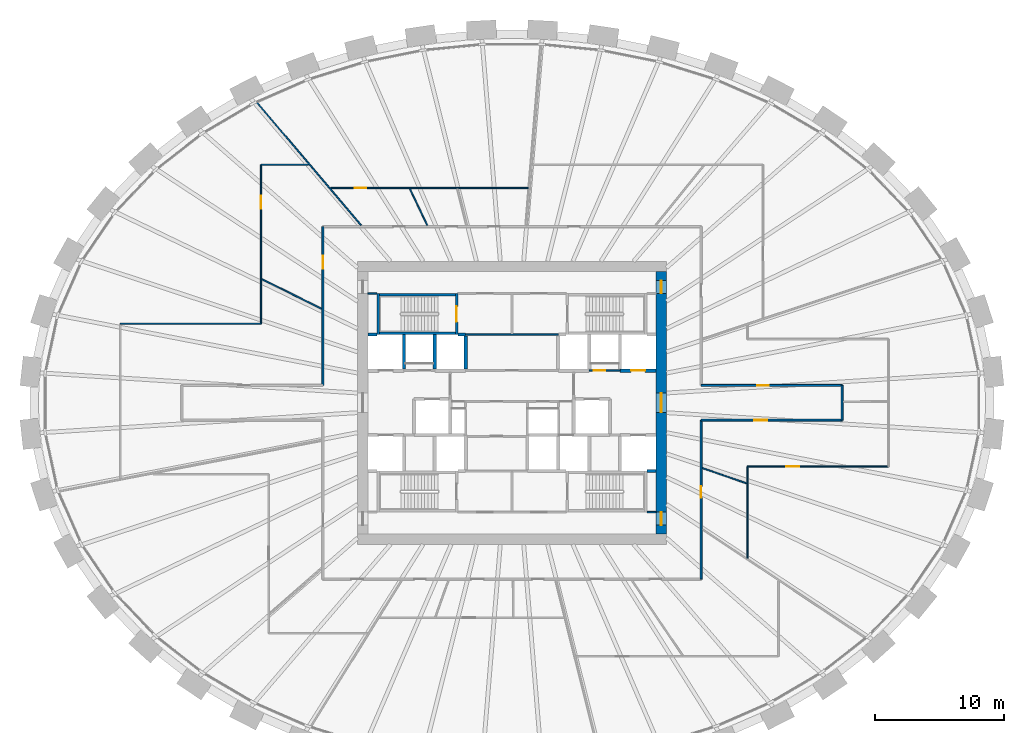
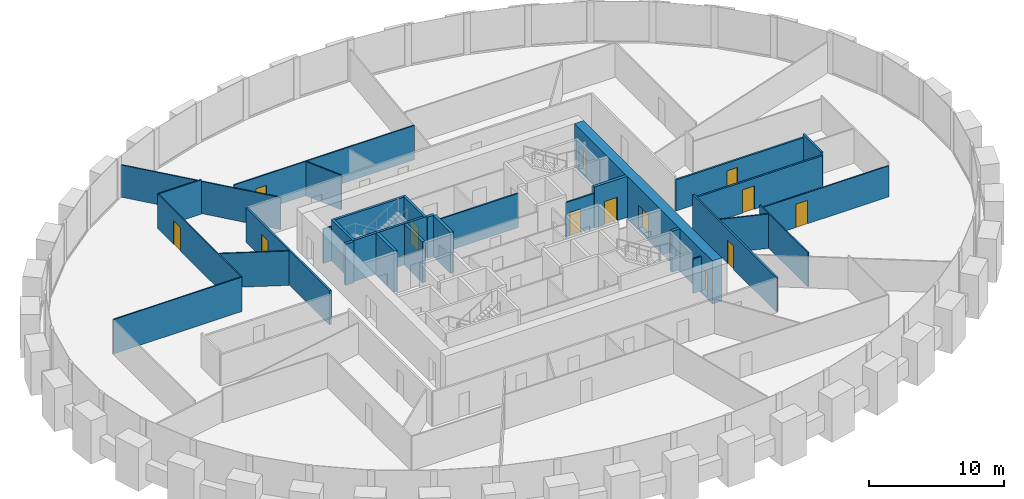
# One storey, part 8 of 10: 31 walls, 13 doors, 13 openings.
"""IFC4 building model written with IfcOpenShell, lengths in metres."""

from ifc_helpers import new_model, si_unit, direction, frame, frame_2d, origin, place, context, subcontext, project, spatial, rectangle, extrude, source, transform, mapped, material, layer, layer_set, type_object, element, fill, save


model = new_model("IFC4")

# Units and contexts
model_context = context("Model", 3, precision=1e-05, world=origin(), true_north=direction((0.0, 1.0)))
body_context = subcontext(model_context, "Body", "Model", "MODEL_VIEW")
ifc_project = project(units=[si_unit("LENGTHUNIT", "METRE"), si_unit("AREAUNIT", "SQUARE_METRE"), si_unit("VOLUMEUNIT", "CUBIC_METRE"), si_unit("PLANEANGLEUNIT", "RADIAN"), si_unit("MASSUNIT", "GRAM", prefix="KILO")], contexts=[model_context])

# Site, building, storey
site_placement = place(None, origin())
site = spatial("IfcSite", under=ifc_project, at=site_placement, CompositionType="ELEMENT")
building_placement = place(site_placement, origin())
building = spatial("IfcBuilding", under=site, at=building_placement, Name="Embergate Tower", CompositionType="ELEMENT")
storey_placement = place(building_placement, frame((0.0, 0.0, 163.800048828125)))
storey = spatial("IfcBuildingStorey", under=building, at=storey_placement, Name="L36", CompositionType="ELEMENT", Elevation=163.800048828125)

# Wall, openings, doors
ifc_material_1 = material(Name="Concrete C70", Category="concrete")
ifc_layer_1 = layer(ifc_material_1, 0.800048828125)
ifc_layer_set_1 = layer_set([ifc_layer_1], Name="Concrete C70")
wall_type_1 = type_object("IfcWallType", Name="Core outer wall C70 800", PredefinedType="SHEAR", material=ifc_layer_set_1)
shared_shape_1 = source(origin(), body_context, "Body", "SweptSolid", [
    extrude(rectangle(XDim=20.39990234375, YDim=0.800048828125, at=frame_2d((10.199951171875, 0.0))), origin(), (0.0, 0.0, 1.0), 3.89990234375),
])
wall_1_placement = place(storey_placement, frame((11.60009765625, -10.199951171875, -0.199951171875), z_axis=(0.0, 0.0, 1.0), x_axis=(0.0, 1.0, 0.0)))
wall_1 = element("IfcWall", 1, at=wall_1_placement, inside=storey, type_object=wall_type_1, Name="CW-L36-E", PredefinedType="SHEAR", context=body_context, shape_type="MappedRepresentation", body=[
    mapped(shared_shape_1, transform((0.0, 0.0, 0.0))),
])
shared_shape_2 = source(origin(), body_context, "Body", "SweptSolid", [
    extrude(rectangle(XDim=1.0, YDim=2.10009765625, at=frame_2d((0.5, 1.050048828125))), frame((0.0, 0.409912109375, 0.0), z_axis=(0.0, -1.0, 0.0), x_axis=(1.0, 0.0, 0.0)), (0.0, 0.0, 1.0), 0.820068359375),
])
opening_1_placement = place(wall_1_placement, frame((18.699951171875, 0.0, 0.199951171875)))
opening_1 = element("IfcOpeningElement", 2, at=opening_1_placement, cuts=wall_1, Name="Opening IF-1d", PredefinedType="OPENING", context=body_context, shape_type="MappedRepresentation", body=[
    mapped(shared_shape_2, transform((0.0, 0.0, 0.0))),
])
opening_2_placement = place(wall_1_placement, frame((0.699951171875, 0.0, 0.199951171875)))
opening_2 = element("IfcOpeningElement", 3, at=opening_2_placement, cuts=wall_1, Name="Opening IF-1d", PredefinedType="OPENING", context=body_context, shape_type="MappedRepresentation", body=[
    mapped(shared_shape_2, transform((0.0, 0.0, 0.0))),
])
shared_shape_3 = source(origin(), body_context, "Body", "SweptSolid", [
    extrude(rectangle(XDim=1.5, YDim=2.10009765625, at=frame_2d((0.75, 1.050048828125))), frame((0.0, 0.409912109375, 0.0), z_axis=(0.0, -1.0, 0.0), x_axis=(1.0, 0.0, 0.0)), (0.0, 0.0, 1.0), 0.820068359375),
])
opening_3_placement = place(wall_1_placement, frame((9.449951171875, 0.0, 0.199951171875)))
opening_3 = element("IfcOpeningElement", 4, at=opening_3_placement, cuts=wall_1, Name="Opening IF-3", PredefinedType="OPENING", context=body_context, shape_type="MappedRepresentation", body=[
    mapped(shared_shape_3, transform((0.0, 0.0, 0.0))),
])
ifc_material_2 = material(Name="Lobby fire door pair 1500")
door_type_1 = type_object("IfcDoorType", Name="Lobby fire door pair 1500", OperationType="DOUBLE_DOOR_SINGLE_SWING", PredefinedType="DOOR", material=ifc_material_2)
shared_shape_4 = source(origin(), body_context, "Body", "SweptSolid", [
    extrude(rectangle(XDim=1.5, YDim=2.10009765625, at=frame_2d((0.75, 1.050048828125))), frame((0.0, 0.02490234375, 0.0), z_axis=(0.0, -1.0, 0.0), x_axis=(1.0, 0.0, 0.0)), (0.0, 0.0, 1.0), 0.050048828125),
])
door_1_placement = place(opening_3_placement, origin())
door_1 = element("IfcDoor", 5, at=door_1_placement, inside=storey, type_object=door_type_1, Name="IF-3 door", OperationType="DOUBLE_DOOR_SINGLE_SWING", OverallHeight=2.10009765625, OverallWidth=1.5, PredefinedType="DOOR", context=body_context, shape_type="MappedRepresentation", body=[
    mapped(shared_shape_4, transform((0.0, 0.0, 0.0))),
])
fill(opening_3, door_1)
ifc_material_3 = material(Name="Escape fire door 1000")
door_type_2 = type_object("IfcDoorType", Name="Escape fire door 1000", OperationType="SINGLE_SWING_LEFT", PredefinedType="DOOR", material=ifc_material_3)
shared_shape_5 = source(origin(), body_context, "Body", "SweptSolid", [
    extrude(rectangle(XDim=1.0, YDim=2.10009765625, at=frame_2d((0.5, 1.050048828125))), frame((0.0, 0.02490234375, 0.0), z_axis=(0.0, -1.0, 0.0), x_axis=(1.0, 0.0, 0.0)), (0.0, 0.0, 1.0), 0.050048828125),
])
door_2_placement = place(opening_1_placement, origin())
door_2 = element("IfcDoor", 6, at=door_2_placement, inside=storey, type_object=door_type_2, Name="IF-1 door", OperationType="SINGLE_SWING_RIGHT", OverallHeight=2.10009765625, OverallWidth=1.0, PredefinedType="DOOR", context=body_context, shape_type="MappedRepresentation", body=[
    mapped(shared_shape_5, transform((0.0, 0.0, 0.0))),
])
fill(opening_1, door_2)
door_3_placement = place(opening_2_placement, origin())
door_3 = element("IfcDoor", 7, at=door_3_placement, inside=storey, type_object=door_type_2, Name="IF-1 door", OperationType="SINGLE_SWING_RIGHT", OverallHeight=2.10009765625, OverallWidth=1.0, PredefinedType="DOOR", context=body_context, shape_type="MappedRepresentation", body=[
    mapped(shared_shape_5, transform((0.0, 0.0, 0.0))),
])
fill(opening_2, door_3)

# Walls
ifc_material_4 = material(Name="Concrete C50", Category="concrete")
ifc_layer_2 = layer(ifc_material_4, 0.25)
ifc_layer_set_2 = layer_set([ifc_layer_2], Name="Concrete C50")
wall_type_2 = type_object("IfcWallType", Name="Hoistway wall reinforced concrete 250", PredefinedType="SHEAR", material=ifc_layer_set_2)
shared_shape_6 = source(origin(), body_context, "Body", "SweptSolid", [
    extrude(rectangle(XDim=2.675048828125, YDim=0.25, at=frame_2d((1.33740234375, 0.0))), origin(), (0.0, 0.0, 1.0), 3.699951171875),
])
for number, where, z_axis, x_axis, name in (
    (8, (-8.39990234375, 2.625, 0.0), (0.0, 0.0, 1.0), (0.0, 1.0, 0.0), "HW-1 wall"),
    (9, (-6.0, 2.625, 0.0), (0.0, 0.0, 1.0), (0.0, 1.0, 0.0), "HW-1 wall"),
):
    element("IfcWall", number, at=place(storey_placement, frame(where, z_axis=z_axis, x_axis=x_axis)), inside=storey, type_object=wall_type_2, Name=name, PredefinedType="SHEAR", context=body_context, shape_type="MappedRepresentation", body=[
        mapped(shared_shape_6, transform((0.0, 0.0, 0.0))),
    ])
ifc_layer_3 = layer(ifc_material_4, 0.199951171875)
ifc_layer_set_3 = layer_set([ifc_layer_3], Name="Concrete C50")
wall_type_3 = type_object("IfcWallType", Name="Stair enclosure wall reinforced concrete 250", PredefinedType="SHEAR", material=ifc_layer_set_3)
shared_shape_7 = source(origin(), body_context, "Body", "SweptSolid", [
    extrude(rectangle(XDim=6.300048828125, YDim=0.199951171875, at=frame_2d((3.14990234375, 0.0))), origin(), (0.0, 0.0, 1.0), 3.699951171875),
])
for number, where, z_axis, x_axis, name in (
    (10, (-4.199951171875, 5.39990234375, 0.0), (0.0, 0.0, 1.0), (-1.0, 0.0, 0.0), "SE-1 wall"),
    (11, (-4.199951171875, 8.39990234375, 0.0), (0.0, 0.0, 1.0), (-1.0, 0.0, 0.0), "SE-1 wall"),
):
    element("IfcWall", number, at=place(storey_placement, frame(where, z_axis=z_axis, x_axis=x_axis)), inside=storey, type_object=wall_type_3, Name=name, PredefinedType="SHEAR", context=body_context, shape_type="MappedRepresentation", body=[
        mapped(shared_shape_7, transform((0.0, 0.0, 0.0))),
    ])
shared_shape_8 = source(origin(), body_context, "Body", "SweptSolid", [
    extrude(rectangle(XDim=2.550048828125, YDim=0.25, at=frame_2d((1.27490234375, 0.0))), origin(), (0.0, 0.0, 1.0), 3.699951171875),
])
wall_2_placement = place(storey_placement, frame((-3.60009765625, 2.625, 0.0), z_axis=(0.0, 0.0, 1.0), x_axis=(0.0, 1.0, 0.0)))
element("IfcWall", 12, at=wall_2_placement, inside=storey, type_object=wall_type_2, Name="HW-1 wall", PredefinedType="SHEAR", context=body_context, shape_type="MappedRepresentation", body=[
    mapped(shared_shape_8, transform((0.0, 0.0, 0.0))),
])

# Wall, opening, door
shared_shape_9 = source(origin(), body_context, "Body", "SweptSolid", [
    extrude(rectangle(XDim=3.199951171875, YDim=0.199951171875, at=frame_2d((1.60009765625, 0.0))), origin(), (0.0, 0.0, 1.0), 3.699951171875),
])
wall_3_placement = place(storey_placement, frame((-4.300048828125, 5.300048828125, 0.0), z_axis=(0.0, 0.0, 1.0), x_axis=(0.0, 1.0, 0.0)))
wall_3 = element("IfcWall", 13, at=wall_3_placement, inside=storey, type_object=wall_type_3, Name="SE-1 wall", PredefinedType="SHEAR", context=body_context, shape_type="MappedRepresentation", body=[
    mapped(shared_shape_9, transform((0.0, 0.0, 0.0))),
])
shared_shape_10 = source(origin(), body_context, "Body", "SweptSolid", [
    extrude(rectangle(XDim=1.199951171875, YDim=2.10009765625, at=frame_2d((0.60009765625, 1.050048828125))), frame((0.0, 0.10986328125, 0.0), z_axis=(0.0, -1.0, 0.0), x_axis=(1.0, 0.0, 0.0)), (0.0, 0.0, 1.0), 0.219970703125),
])
opening_4_placement = place(wall_3_placement, frame((1.0, 0.0, 0.0)))
opening_4 = element("IfcOpeningElement", 14, at=opening_4_placement, cuts=wall_3, Name="Opening IF-2", PredefinedType="OPENING", context=body_context, shape_type="MappedRepresentation", body=[
    mapped(shared_shape_10, transform((0.0, 0.0, 0.0))),
])
ifc_material_5 = material(Name="Stair enclosure door 1200")
door_type_3 = type_object("IfcDoorType", Name="Stair enclosure door 1200", OperationType="SINGLE_SWING_LEFT", PredefinedType="DOOR", material=ifc_material_5)
shared_shape_11 = source(origin(), body_context, "Body", "SweptSolid", [
    extrude(rectangle(XDim=1.199951171875, YDim=2.10009765625, at=frame_2d((0.60009765625, 1.050048828125))), frame((0.0, 0.02490234375, 0.0), z_axis=(0.0, -1.0, 0.0), x_axis=(1.0, 0.0, 0.0)), (0.0, 0.0, 1.0), 0.050048828125),
])
door_4_placement = place(opening_4_placement, origin())
door_4 = element("IfcDoor", 15, at=door_4_placement, inside=storey, type_object=door_type_3, Name="IF-2 door", OperationType="SINGLE_SWING_LEFT", OverallHeight=2.10009765625, OverallWidth=1.199951171875, PredefinedType="DOOR", context=body_context, shape_type="MappedRepresentation", body=[
    mapped(shared_shape_11, transform((0.0, 0.0, 0.0))),
])
fill(opening_4, door_4)

ifc_material_6 = material(Name="Corridor wall dry-lined 150")
ifc_layer_4 = layer(ifc_material_6, 0.14990234375)
ifc_layer_set_4 = layer_set([ifc_layer_4], Name="Corridor wall dry-lined 150")
wall_type_4 = type_object("IfcWallType", Name="Corridor wall dry-lined 150", PredefinedType="PARTITIONING", material=ifc_layer_set_4)
shared_shape_12 = source(origin(), body_context, "Body", "SweptSolid", [
    extrude(rectangle(XDim=10.949951171875, YDim=0.14990234375, at=frame_2d((5.47509765625, 0.0))), origin(), (0.0, 0.0, 1.0), 2.800048828125),
])
wall_4_placement = place(storey_placement, frame((25.64990234375, -1.35009765625, 0.0), z_axis=(0.0, 0.0, 1.0), x_axis=(-1.0, 0.0, 0.0)))
wall_4 = element("IfcWall", 16, at=wall_4_placement, inside=storey, type_object=wall_type_4, Name="IP-2 wall", PredefinedType="PARTITIONING", context=body_context, shape_type="MappedRepresentation", body=[
    mapped(shared_shape_12, transform((0.0, 0.0, 0.0))),
])
shared_shape_13 = source(origin(), body_context, "Body", "SweptSolid", [
    extrude(rectangle(XDim=1.0, YDim=2.10009765625, at=frame_2d((0.5, 1.050048828125))), frame((0.0, 0.0849609375, 0.0), z_axis=(0.0, -1.0, 0.0), x_axis=(1.0, 0.0, 0.0)), (0.0, 0.0, 1.0), 0.169921875),
])
opening_5_placement = place(wall_4_placement, frame((5.81591796875, 0.0, 0.0)))
opening_5 = element("IfcOpeningElement", 17, at=opening_5_placement, cuts=wall_4, Name="Opening ID-2", PredefinedType="OPENING", context=body_context, shape_type="MappedRepresentation", body=[
    mapped(shared_shape_13, transform((0.0, 0.0, 0.0))),
])
ifc_material_7 = material(Name="Interior door 1000")
door_type_4 = type_object("IfcDoorType", Name="Interior door 1000", OperationType="SINGLE_SWING_LEFT", PredefinedType="DOOR", material=ifc_material_7)
door_5_placement = place(opening_5_placement, origin())
door_5 = element("IfcDoor", 18, at=door_5_placement, inside=storey, type_object=door_type_4, Name="ID-2 door", OperationType="SINGLE_SWING_LEFT", OverallHeight=2.10009765625, OverallWidth=1.0, PredefinedType="DOOR", context=body_context, shape_type="MappedRepresentation", body=[
    mapped(shared_shape_5, transform((0.0, 0.0, 0.0))),
])
fill(opening_5, door_5)

wall_5_placement = place(storey_placement, frame((14.699951171875, 1.35009765625, 0.0), z_axis=(0.0, 0.0, 1.0), x_axis=(1.0, 0.0, 0.0)))
wall_5 = element("IfcWall", 19, at=wall_5_placement, inside=storey, type_object=wall_type_4, Name="IP-2 wall", PredefinedType="PARTITIONING", context=body_context, shape_type="MappedRepresentation", body=[
    mapped(shared_shape_12, transform((0.0, 0.0, 0.0))),
])
shared_shape_14 = source(origin(), body_context, "Body", "SweptSolid", [
    extrude(rectangle(XDim=0.89990234375, YDim=2.10009765625, at=frame_2d((0.449951171875, 1.050048828125))), frame((0.0, 0.0849609375, 0.0), z_axis=(0.0, -1.0, 0.0), x_axis=(1.0, 0.0, 0.0)), (0.0, 0.0, 1.0), 0.169921875),
])
opening_6_placement = place(wall_5_placement, frame((4.364013671875, 0.0, 0.0)))
opening_6 = element("IfcOpeningElement", 20, at=opening_6_placement, cuts=wall_5, Name="Opening IF-1c", PredefinedType="OPENING", context=body_context, shape_type="MappedRepresentation", body=[
    mapped(shared_shape_14, transform((0.0, 0.0, 0.0))),
])
ifc_material_8 = material(Name="Escape fire door 900")
door_type_5 = type_object("IfcDoorType", Name="Escape fire door 900", OperationType="SINGLE_SWING_LEFT", PredefinedType="DOOR", material=ifc_material_8)
shared_shape_15 = source(origin(), body_context, "Body", "SweptSolid", [
    extrude(rectangle(XDim=0.89990234375, YDim=2.10009765625, at=frame_2d((0.449951171875, 1.050048828125))), frame((0.0, 0.02490234375, 0.0), z_axis=(0.0, -1.0, 0.0), x_axis=(1.0, 0.0, 0.0)), (0.0, 0.0, 1.0), 0.050048828125),
])
door_6_placement = place(opening_6_placement, origin())
door_6 = element("IfcDoor", 21, at=door_6_placement, inside=storey, type_object=door_type_5, Name="IF-1 door", OperationType="SINGLE_SWING_LEFT", OverallHeight=2.10009765625, OverallWidth=0.89990234375, PredefinedType="DOOR", context=body_context, shape_type="MappedRepresentation", body=[
    mapped(shared_shape_15, transform((0.0, 0.0, 0.0))),
])
fill(opening_6, door_6)

ifc_material_9 = material(Name="Partition dry-lined 100")
ifc_layer_5 = layer(ifc_material_9, 0.10009765625)
ifc_layer_set_5 = layer_set([ifc_layer_5], Name="Partition dry-lined 100")
wall_type_5 = type_object("IfcWallType", Name="Partition dry-lined 100", PredefinedType="PARTITIONING", material=ifc_layer_set_5)
shared_shape_16 = source(origin(), body_context, "Body", "SweptSolid", [
    extrude(rectangle(XDim=10.949951171875, YDim=0.10009765625, at=frame_2d((5.47509765625, 0.0))), origin(), (0.0, 0.0, 1.0), 2.800048828125),
])
wall_6_placement = place(storey_placement, frame((29.25, -4.949951171875, 0.0), z_axis=(0.0, 0.0, 1.0), x_axis=(-1.0, 0.0, 0.0)))
wall_6 = element("IfcWall", 22, at=wall_6_placement, inside=storey, type_object=wall_type_5, Name="IP-1 wall", PredefinedType="PARTITIONING", context=body_context, shape_type="MappedRepresentation", body=[
    mapped(shared_shape_16, transform((0.0, 0.0, 0.0))),
])
shared_shape_17 = source(origin(), body_context, "Body", "SweptSolid", [
    extrude(rectangle(XDim=1.0, YDim=2.10009765625, at=frame_2d((0.5, 1.050048828125))), frame((0.0, 0.06005859375, 0.0), z_axis=(0.0, -1.0, 0.0), x_axis=(1.0, 0.0, 0.0)), (0.0, 0.0, 1.0), 0.1201171875),
])
opening_7_placement = place(wall_6_placement, frame((6.93798828125, 0.0, 0.0)))
opening_7 = element("IfcOpeningElement", 23, at=opening_7_placement, cuts=wall_6, Name="Opening ID-2", PredefinedType="OPENING", context=body_context, shape_type="MappedRepresentation", body=[
    mapped(shared_shape_17, transform((0.0, 0.0, 0.0))),
])
door_7_placement = place(opening_7_placement, origin())
door_7 = element("IfcDoor", 24, at=door_7_placement, inside=storey, type_object=door_type_4, Name="ID-2 door", OperationType="SINGLE_SWING_RIGHT", OverallHeight=2.10009765625, OverallWidth=1.0, PredefinedType="DOOR", context=body_context, shape_type="MappedRepresentation", body=[
    mapped(shared_shape_5, transform((0.0, 0.0, 0.0))),
])
fill(opening_7, door_7)

shared_shape_18 = source(origin(), body_context, "Body", "SweptSolid", [
    extrude(rectangle(XDim=2.800048828125, YDim=0.25, at=frame_2d((1.39990234375, 0.0))), origin(), (0.0, 0.0, 1.0), 3.699951171875),
])
wall_7_placement = place(storey_placement, frame((8.39990234375, 2.5, 0.0), z_axis=(0.0, 0.0, 1.0), x_axis=(1.0, 0.0, 0.0)))
wall_7 = element("IfcWall", 25, at=wall_7_placement, inside=storey, type_object=wall_type_2, Name="HW-1 wall", PredefinedType="SHEAR", context=body_context, shape_type="MappedRepresentation", body=[
    mapped(shared_shape_18, transform((0.0, 0.0, 0.0))),
])
shared_shape_19 = source(origin(), body_context, "Body", "SweptSolid", [
    extrude(rectangle(XDim=1.10009765625, YDim=2.10009765625, at=frame_2d((0.550048828125, 1.050048828125))), frame((0.0, 0.135009765625, 0.0), z_axis=(0.0, -1.0, 0.0), x_axis=(1.0, 0.0, 0.0)), (0.0, 0.0, 1.0), 0.27001953125),
])
opening_8_placement = place(wall_7_placement, frame((0.85009765625, 0.0, 0.0)))
opening_8 = element("IfcOpeningElement", 26, at=opening_8_placement, cuts=wall_7, Name="Opening LD", PredefinedType="OPENING", context=body_context, shape_type="MappedRepresentation", body=[
    mapped(shared_shape_19, transform((0.0, 0.0, 0.0))),
])
ifc_material_10 = material(Name="Landing door sliding 1100")
door_type_6 = type_object("IfcDoorType", Name="Landing door sliding 1100", OperationType="SLIDING_TO_LEFT", PredefinedType="DOOR", material=ifc_material_10)
shared_shape_20 = source(origin(), body_context, "Body", "SweptSolid", [
    extrude(rectangle(XDim=1.10009765625, YDim=2.10009765625, at=frame_2d((0.550048828125, 1.050048828125))), frame((0.0, 0.02490234375, 0.0), z_axis=(0.0, -1.0, 0.0), x_axis=(1.0, 0.0, 0.0)), (0.0, 0.0, 1.0), 0.050048828125),
])
door_8_placement = place(opening_8_placement, origin())
door_8 = element("IfcDoor", 27, at=door_8_placement, inside=storey, type_object=door_type_6, Name="LD door", OperationType="SLIDING_TO_LEFT", OverallHeight=2.10009765625, OverallWidth=1.10009765625, PredefinedType="DOOR", context=body_context, shape_type="MappedRepresentation", body=[
    mapped(shared_shape_20, transform((0.0, 0.0, 0.0))),
])
fill(opening_8, door_8)

# Walls
shared_shape_21 = source(origin(), body_context, "Body", "SweptSolid", [
    extrude(rectangle(XDim=0.599853515625, YDim=0.25, at=frame_2d((0.2998046875, 0.0))), origin(), (0.0, 0.0, 1.0), 3.699951171875),
])
wall_8_placement = place(storey_placement, frame((-3.60009765625, 5.300048828125, 0.0), z_axis=(0.0, 0.0, 1.0), x_axis=(-1.0, 0.0, 0.0)))
element("IfcWall", 28, at=wall_8_placement, inside=storey, type_object=wall_type_2, Name="HW-1 wall", PredefinedType="SHEAR", context=body_context, shape_type="MappedRepresentation", body=[
    mapped(shared_shape_21, transform((0.0, 0.0, 0.0))),
])
shared_shape_22 = source(origin(), body_context, "Body", "SweptSolid", [
    extrude(rectangle(XDim=3.196044921875, YDim=0.199951171875, at=frame_2d((1.59814453125, 0.0))), origin(), (0.0, 0.0, 1.0), 3.699951171875),
])
wall_9_placement = place(storey_placement, frame((-10.39990234375, 8.498046875, 0.0), z_axis=(0.0, 0.0, 1.0), x_axis=(0.0, -1.0, 0.0)))
element("IfcWall", 29, at=wall_9_placement, inside=storey, type_object=wall_type_3, Name="SE-1 wall", PredefinedType="SHEAR", context=body_context, shape_type="MappedRepresentation", body=[
    mapped(shared_shape_22, transform((0.0, 0.0, 0.0))),
])
shared_shape_23 = source(origin(), body_context, "Body", "SweptSolid", [
    extrude(rectangle(XDim=0.697998046875, YDim=0.25, at=frame_2d((0.34912109375, 0.0))), origin(), (0.0, 0.0, 1.0), 3.699951171875),
])
for number, where, z_axis, x_axis, name in (
    (30, (-10.501953125, 5.300048828125, 0.0), (0.0, 0.0, 1.0), (-1.0, 0.0, 0.0), "HW-1 wall"),
    (31, (10.501953125, -5.300048828125, 0.0), (0.0, 0.0, 1.0), (1.0, 0.0, 0.0), "HW-1 wall"),
):
    element("IfcWall", number, at=place(storey_placement, frame(where, z_axis=z_axis, x_axis=x_axis)), inside=storey, type_object=wall_type_2, Name=name, PredefinedType="SHEAR", context=body_context, shape_type="MappedRepresentation", body=[
        mapped(shared_shape_23, transform((0.0, 0.0, 0.0))),
    ])

# Wall, opening, door
ifc_material_11 = material(Name="Core partition blockwork 120")
ifc_layer_6 = layer(ifc_material_11, 0.1201171875)
ifc_layer_set_6 = layer_set([ifc_layer_6], Name="Core partition blockwork 120")
wall_type_6 = type_object("IfcWallType", Name="Core partition blockwork 120", PredefinedType="PARTITIONING", material=ifc_layer_set_6)
shared_shape_24 = source(origin(), body_context, "Body", "SweptSolid", [
    extrude(rectangle(XDim=2.39990234375, YDim=0.1201171875, at=frame_2d((1.199951171875, 0.0))), origin(), (0.0, 0.0, 1.0), 3.099853515625),
])
wall_10_placement = place(storey_placement, frame((6.0, 2.5, 0.0), z_axis=(0.0, 0.0, 1.0), x_axis=(1.0, 0.0, 0.0)))
wall_10 = element("IfcWall", 32, at=wall_10_placement, inside=storey, type_object=wall_type_6, Name="IP-3 wall", PredefinedType="PARTITIONING", context=body_context, shape_type="MappedRepresentation", body=[
    mapped(shared_shape_24, transform((0.0, 0.0, 0.0))),
])
shared_shape_25 = source(origin(), body_context, "Body", "SweptSolid", [
    extrude(rectangle(XDim=0.89990234375, YDim=2.10009765625, at=frame_2d((0.449951171875, 1.050048828125))), frame((0.0, 0.070068359375, 0.0), z_axis=(0.0, -1.0, 0.0), x_axis=(1.0, 0.0, 0.0)), (0.0, 0.0, 1.0), 0.14013671875),
])
opening_9_placement = place(wall_10_placement, frame((0.35009765625, 0.0, 0.0)))
opening_9 = element("IfcOpeningElement", 33, at=opening_9_placement, cuts=wall_10, Name="Opening ID-1", PredefinedType="OPENING", context=body_context, shape_type="MappedRepresentation", body=[
    mapped(shared_shape_25, transform((0.0, 0.0, 0.0))),
])
ifc_material_12 = material(Name="Interior door 900")
door_type_7 = type_object("IfcDoorType", Name="Interior door 900", OperationType="SINGLE_SWING_LEFT", PredefinedType="DOOR", material=ifc_material_12)
door_9_placement = place(opening_9_placement, origin())
door_9 = element("IfcDoor", 34, at=door_9_placement, inside=storey, type_object=door_type_7, Name="ID-1 door", OperationType="SINGLE_SWING_LEFT", OverallHeight=2.10009765625, OverallWidth=0.89990234375, PredefinedType="DOOR", context=body_context, shape_type="MappedRepresentation", body=[
    mapped(shared_shape_15, transform((0.0, 0.0, 0.0))),
])
fill(opening_9, door_9)

# Walls
shared_shape_26 = source(origin(), body_context, "Body", "SweptSolid", [
    extrude(rectangle(XDim=7.2001953125, YDim=0.1201171875, at=frame_2d((3.60009765625, 0.0))), origin(), (0.0, 0.0, 1.0), 3.099853515625),
])
wall_11_placement = place(storey_placement, frame((-3.60009765625, 5.300048828125, 0.0), z_axis=(0.0, 0.0, 1.0), x_axis=(1.0, 0.0, 0.0)))
element("IfcWall", 35, at=wall_11_placement, inside=storey, type_object=wall_type_6, Name="IP-3 wall", PredefinedType="PARTITIONING", context=body_context, shape_type="MappedRepresentation", body=[
    mapped(shared_shape_26, transform((0.0, 0.0, 0.0))),
])
shared_shape_27 = source(origin(), body_context, "Body", "SweptSolid", [
    extrude(rectangle(XDim=0.697998046875, YDim=0.1201171875, at=frame_2d((0.34912109375, 0.0))), origin(), (0.0, 0.0, 1.0), 3.099853515625),
])
for number, where, z_axis, x_axis, name in (
    (36, (-11.199951171875, 8.5, 0.0), (0.0, 0.0, 1.0), (1.0, 0.0, 0.0), "IP-3 wall"),
    (37, (11.199951171875, -8.5, 0.0), (0.0, 0.0, 1.0), (-1.0, 0.0, 0.0), "IP-3 wall"),
):
    element("IfcWall", number, at=place(storey_placement, frame(where, z_axis=z_axis, x_axis=x_axis)), inside=storey, type_object=wall_type_6, Name=name, PredefinedType="PARTITIONING", context=body_context, shape_type="MappedRepresentation", body=[
        mapped(shared_shape_27, transform((0.0, 0.0, 0.0))),
    ])
shared_shape_28 = source(origin(), body_context, "Body", "SweptSolid", [
    extrude(rectangle(XDim=10.949951171875, YDim=0.10009765625, at=frame_2d((5.47509765625, 0.0))), origin(), (0.0, 0.0, 1.0), 3.099853515625),
])
wall_12_placement = place(storey_placement, frame((-19.5, 6.14990234375, 0.0), z_axis=(0.0, 0.0, 1.0), x_axis=(-1.0, 0.0, 0.0)))
element("IfcWall", 38, at=wall_12_placement, inside=storey, type_object=wall_type_5, Name="IP-1 wall", PredefinedType="PARTITIONING", context=body_context, shape_type="MappedRepresentation", body=[
    mapped(shared_shape_28, transform((0.0, 0.0, 0.0))),
])

# Wall, opening, door
shared_shape_29 = source(origin(), body_context, "Body", "SweptSolid", [
    extrude(rectangle(XDim=12.349853515625, YDim=0.14990234375, at=frame_2d((6.1748046875, 0.0))), origin(), (0.0, 0.0, 1.0), 3.099853515625),
])
wall_13_placement = place(storey_placement, frame((14.699951171875, -1.35009765625, 0.0), z_axis=(0.0, 0.0, 1.0), x_axis=(0.0, -1.0, 0.0)))
wall_13 = element("IfcWall", 39, at=wall_13_placement, inside=storey, type_object=wall_type_4, Name="IP-2 wall", PredefinedType="PARTITIONING", context=body_context, shape_type="MappedRepresentation", body=[
    mapped(shared_shape_29, transform((0.0, 0.0, 0.0))),
])
opening_10_placement = place(wall_13_placement, frame((5.1220703125, 0.0, 0.0)))
opening_10 = element("IfcOpeningElement", 40, at=opening_10_placement, cuts=wall_13, Name="Opening IF-1c", PredefinedType="OPENING", context=body_context, shape_type="MappedRepresentation", body=[
    mapped(shared_shape_14, transform((0.0, 0.0, 0.0))),
])
door_10_placement = place(opening_10_placement, origin())
door_10 = element("IfcDoor", 41, at=door_10_placement, inside=storey, type_object=door_type_5, Name="IF-1 door", OperationType="SINGLE_SWING_LEFT", OverallHeight=2.10009765625, OverallWidth=0.89990234375, PredefinedType="DOOR", context=body_context, shape_type="MappedRepresentation", body=[
    mapped(shared_shape_15, transform((0.0, 0.0, 0.0))),
])
fill(opening_10, door_10)

wall_14_placement = place(storey_placement, frame((-14.699951171875, 1.35009765625, 0.0), z_axis=(0.0, 0.0, 1.0), x_axis=(0.0, 1.0, 0.0)))
wall_14 = element("IfcWall", 42, at=wall_14_placement, inside=storey, type_object=wall_type_4, Name="IP-2 wall", PredefinedType="PARTITIONING", context=body_context, shape_type="MappedRepresentation", body=[
    mapped(shared_shape_29, transform((0.0, 0.0, 0.0))),
])
opening_11_placement = place(wall_14_placement, frame((9.068115234375, 0.0, 0.0)))
opening_11 = element("IfcOpeningElement", 43, at=opening_11_placement, cuts=wall_14, Name="Opening ID-2", PredefinedType="OPENING", context=body_context, shape_type="MappedRepresentation", body=[
    mapped(shared_shape_13, transform((0.0, 0.0, 0.0))),
])
door_11_placement = place(opening_11_placement, origin())
door_11 = element("IfcDoor", 44, at=door_11_placement, inside=storey, type_object=door_type_4, Name="ID-2 door", OperationType="SINGLE_SWING_RIGHT", OverallHeight=2.10009765625, OverallWidth=1.0, PredefinedType="DOOR", context=body_context, shape_type="MappedRepresentation", body=[
    mapped(shared_shape_5, transform((0.0, 0.0, 0.0))),
])
fill(opening_11, door_11)

# Walls
shared_shape_30 = source(origin(), body_context, "Body", "SweptSolid", [
    extrude(rectangle(XDim=2.7001953125, YDim=0.14990234375, at=frame_2d((1.35009765625, 0.0))), origin(), (0.0, 0.0, 1.0), 3.099853515625),
])
wall_15_placement = place(storey_placement, frame((25.64990234375, 1.35009765625, 0.0), z_axis=(0.0, 0.0, 1.0), x_axis=(0.0, -1.0, 0.0)))
element("IfcWall", 45, at=wall_15_placement, inside=storey, type_object=wall_type_4, Name="IP-2 wall", PredefinedType="PARTITIONING", context=body_context, shape_type="MappedRepresentation", body=[
    mapped(shared_shape_30, transform((0.0, 0.0, 0.0))),
])
shared_shape_31 = source(origin(), body_context, "Body", "SweptSolid", [
    extrude(rectangle(XDim=3.6396484375, YDim=0.10009765625, at=frame_2d((1.81982421875, 0.0))), origin(), (0.0, 0.0, 1.0), 3.099853515625),
])
wall_16_placement = place(storey_placement, frame((18.23388671875, -6.2529296875, 0.0), z_axis=(0.0, 0.0, 1.0), x_axis=(-0.945904193291, 0.324446077361, 0.0)))
element("IfcWall", 46, at=wall_16_placement, inside=storey, type_object=wall_type_5, Name="IP-1 wall", PredefinedType="PARTITIONING", context=body_context, shape_type="MappedRepresentation", body=[
    mapped(shared_shape_31, transform((0.0, 0.0, 0.0))),
])
shared_shape_32 = source(origin(), body_context, "Body", "SweptSolid", [
    extrude(rectangle(XDim=7.1220703125, YDim=0.10009765625, at=frame_2d((3.56103515625, 0.0))), origin(), (0.0, 0.0, 1.0), 3.099853515625),
])
wall_17_placement = place(storey_placement, frame((18.300048828125, -4.949951171875, 0.0), z_axis=(0.0, 0.0, 1.0), x_axis=(0.0, -1.0, 0.0)))
element("IfcWall", 47, at=wall_17_placement, inside=storey, type_object=wall_type_5, Name="IP-1 wall", PredefinedType="PARTITIONING", context=body_context, shape_type="MappedRepresentation", body=[
    mapped(shared_shape_32, transform((0.0, 0.0, 0.0))),
])

# Wall, opening, door
ifc_material_13 = material(Name="Partition dry-lined 100 wet")
ifc_layer_7 = layer(ifc_material_13, 0.10009765625)
ifc_layer_set_7 = layer_set([ifc_layer_7], Name="Partition dry-lined 100 wet")
wall_type_7 = type_object("IfcWallType", Name="Partition dry-lined 100 wet", PredefinedType="PLUMBINGWALL", material=ifc_layer_set_7)
shared_shape_33 = source(origin(), body_context, "Body", "SweptSolid", [
    extrude(rectangle(XDim=15.391845703125, YDim=0.10009765625, at=frame_2d((7.69580078125, 0.0))), origin(), (0.0, 0.0, 1.0), 3.099853515625),
])
wall_18_placement = place(storey_placement, frame((-14.076904296875, 16.699951171875, 0.0), z_axis=(0.0, 0.0, 1.0), x_axis=(1.0, 0.0, 0.0)))
wall_18 = element("IfcWall", 48, at=wall_18_placement, inside=storey, type_object=wall_type_7, Name="IP-1 wall", PredefinedType="PLUMBINGWALL", context=body_context, shape_type="MappedRepresentation", body=[
    mapped(shared_shape_33, transform((0.0, 0.0, 0.0))),
])
shared_shape_34 = source(origin(), body_context, "Body", "SweptSolid", [
    extrude(rectangle(XDim=0.89990234375, YDim=2.10009765625, at=frame_2d((0.449951171875, 1.050048828125))), frame((0.0, 0.06005859375, 0.0), z_axis=(0.0, -1.0, 0.0), x_axis=(1.0, 0.0, 0.0)), (0.0, 0.0, 1.0), 0.1201171875),
])
opening_12_placement = place(wall_18_placement, frame((1.84375, 0.0, 0.0)))
opening_12 = element("IfcOpeningElement", 49, at=opening_12_placement, cuts=wall_18, Name="Opening ID-1", PredefinedType="OPENING", context=body_context, shape_type="MappedRepresentation", body=[
    mapped(shared_shape_34, transform((0.0, 0.0, 0.0))),
])
door_12_placement = place(opening_12_placement, origin())
door_12 = element("IfcDoor", 50, at=door_12_placement, inside=storey, type_object=door_type_7, Name="ID-1 door", OperationType="SINGLE_SWING_RIGHT", OverallHeight=2.10009765625, OverallWidth=0.89990234375, PredefinedType="DOOR", context=body_context, shape_type="MappedRepresentation", body=[
    mapped(shared_shape_15, transform((0.0, 0.0, 0.0))),
])
fill(opening_12, door_12)

# Walls
shared_shape_35 = source(origin(), body_context, "Body", "SweptSolid", [
    extrude(rectangle(XDim=3.13720703125, YDim=0.10009765625, at=frame_2d((1.568603515625, 0.0))), origin(), (0.0, 0.0, 1.0), 3.099853515625),
])
wall_19_placement = place(storey_placement, frame((-6.580078125, 13.7958984375, 0.0), z_axis=(0.0, 0.0, 1.0), x_axis=(-0.430262809356, 0.902703669476, 0.0)))
element("IfcWall", 51, at=wall_19_placement, inside=storey, type_object=wall_type_7, Name="IP-1 wall", PredefinedType="PLUMBINGWALL", context=body_context, shape_type="MappedRepresentation", body=[
    mapped(shared_shape_35, transform((0.0, 0.0, 0.0))),
])
shared_shape_36 = source(origin(), body_context, "Body", "SweptSolid", [
    extrude(rectangle(XDim=12.555908203125, YDim=0.10009765625, at=frame_2d((6.27783203125, 0.0))), origin(), (0.0, 0.0, 1.0), 2.89990234375),
])
wall_20_placement = place(storey_placement, frame((-11.72802734375, 13.806884765625, 0.0), z_axis=(0.0, 0.0, 1.0), x_axis=(-0.647341886088, 0.762199765492, 0.0)))
element("IfcWall", 52, at=wall_20_placement, inside=storey, type_object=wall_type_7, Name="IP-1 wall", PredefinedType="PLUMBINGWALL", context=body_context, shape_type="MappedRepresentation", body=[
    mapped(shared_shape_36, transform((0.0, 0.0, 0.0))),
])
shared_shape_37 = source(origin(), body_context, "Body", "SweptSolid", [
    extrude(rectangle(XDim=5.165771484375, YDim=0.10009765625, at=frame_2d((2.5830078125, 0.0))), origin(), (0.0, 0.0, 1.0), 3.099853515625),
])
wall_21_placement = place(storey_placement, frame((-14.797119140625, 7.31494140625, 0.0), z_axis=(0.0, 0.0, 1.0), x_axis=(-0.896459574413, 0.443125525606, 0.0)))
element("IfcWall", 53, at=wall_21_placement, inside=storey, type_object=wall_type_5, Name="IP-1 wall", PredefinedType="PARTITIONING", context=body_context, shape_type="MappedRepresentation", body=[
    mapped(shared_shape_37, transform((0.0, 0.0, 0.0))),
])
shared_shape_38 = source(origin(), body_context, "Body", "SweptSolid", [
    extrude(rectangle(XDim=3.677978515625, YDim=0.10009765625, at=frame_2d((1.8388671875, 0.0))), origin(), (0.0, 0.0, 1.0), 3.099853515625),
])
wall_22_placement = place(storey_placement, frame((-15.822021484375, 18.5, 0.0), z_axis=(0.0, 0.0, 1.0), x_axis=(-1.0, 0.0, 0.0)))
element("IfcWall", 54, at=wall_22_placement, inside=storey, type_object=wall_type_5, Name="IP-1 wall", PredefinedType="PARTITIONING", context=body_context, shape_type="MappedRepresentation", body=[
    mapped(shared_shape_38, transform((0.0, 0.0, 0.0))),
])

# Wall, opening, door
shared_shape_39 = source(origin(), body_context, "Body", "SweptSolid", [
    extrude(rectangle(XDim=12.35009765625, YDim=0.10009765625, at=frame_2d((6.175048828125, 0.0))), origin(), (0.0, 0.0, 1.0), 3.099853515625),
])
wall_23_placement = place(storey_placement, frame((-19.5, 18.5, 0.0), z_axis=(0.0, 0.0, 1.0), x_axis=(0.0, -1.0, 0.0)))
wall_23 = element("IfcWall", 55, at=wall_23_placement, inside=storey, type_object=wall_type_5, Name="IP-1 wall", PredefinedType="PARTITIONING", context=body_context, shape_type="MappedRepresentation", body=[
    mapped(shared_shape_39, transform((0.0, 0.0, 0.0))),
])
opening_13_placement = place(wall_23_placement, frame((2.406005859375, 0.0, 0.0)))
opening_13 = element("IfcOpeningElement", 56, at=opening_13_placement, cuts=wall_23, Name="Opening ID-2", PredefinedType="OPENING", context=body_context, shape_type="MappedRepresentation", body=[
    mapped(shared_shape_17, transform((0.0, 0.0, 0.0))),
])
door_13_placement = place(opening_13_placement, origin())
door_13 = element("IfcDoor", 57, at=door_13_placement, inside=storey, type_object=door_type_4, Name="ID-2 door", OperationType="SINGLE_SWING_LEFT", OverallHeight=2.10009765625, OverallWidth=1.0, PredefinedType="DOOR", context=body_context, shape_type="MappedRepresentation", body=[
    mapped(shared_shape_5, transform((0.0, 0.0, 0.0))),
])
fill(opening_13, door_13)

save(model, "model.ifc")
